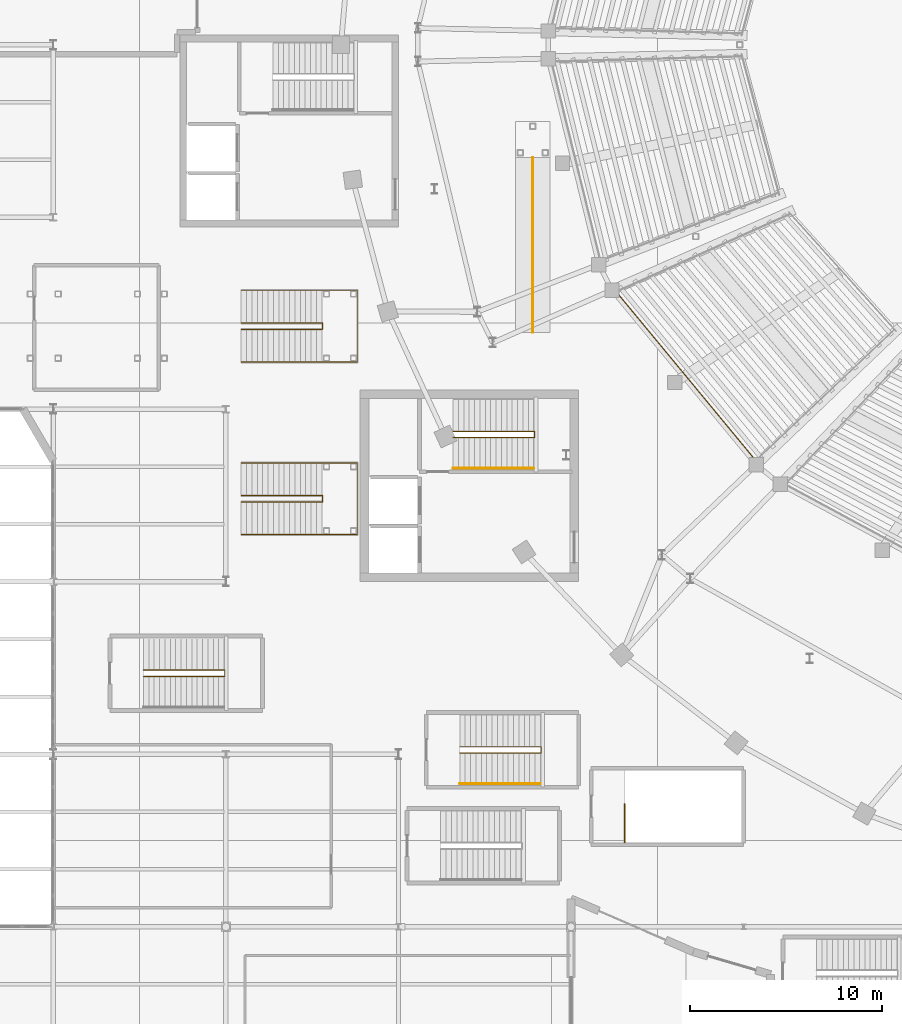
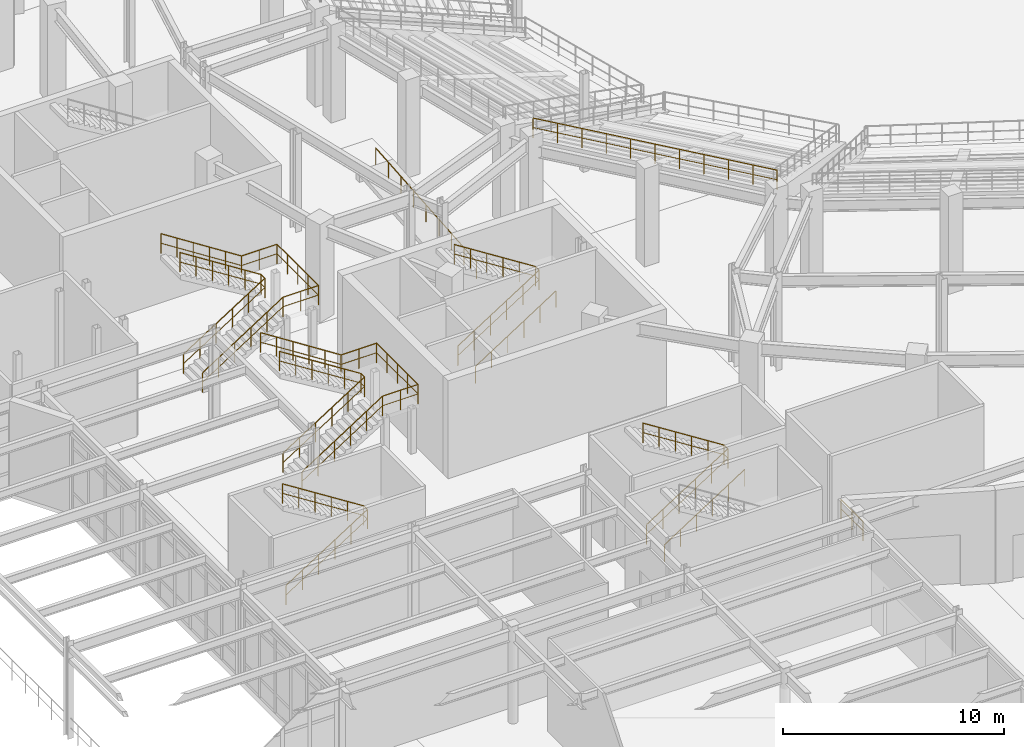
# One storey, part 71 of 79: 12 railings.
"""IFC4 building model written with IfcOpenShell, lengths in metres."""

from ifc_helpers import new_model, si_unit, direction, frame, origin, origin_2d, place, context, subcontext, project, spatial, circle, extrude, material, type_object, element, save


model = new_model("IFC4")

# Units and contexts
model_context = context("Model", 3, precision=1e-05, world=origin(), true_north=direction((0.0, 1.0)))
body_context = subcontext(model_context, "Body", "Model", "MODEL_VIEW")
ifc_project = project(units=[si_unit("LENGTHUNIT", "METRE"), si_unit("AREAUNIT", "SQUARE_METRE"), si_unit("VOLUMEUNIT", "CUBIC_METRE"), si_unit("PLANEANGLEUNIT", "RADIAN"), si_unit("MASSUNIT", "GRAM", prefix="KILO")], contexts=[model_context])

# Site, building, storey
site_placement = place(None, origin())
site = spatial("IfcSite", under=ifc_project, at=site_placement, CompositionType="ELEMENT")
building_placement = place(site_placement, origin())
building = spatial("IfcBuilding", under=site, at=building_placement, Name="Glasvene Arena", CompositionType="ELEMENT")
storey_placement = place(building_placement, origin())
storey = spatial("IfcBuildingStorey", under=building, at=storey_placement, Name="L00", CompositionType="ELEMENT", Elevation=0.0)

# Railings
ifc_material = material(Name="Brushed stainless steel", Category="steel")
railing_type_1 = type_object("IfcRailingType", Name="RL-GUARD-1100", PredefinedType="GUARDRAIL", material=ifc_material)
railing_1_placement = place(storey_placement, frame((47.85009765625, 52.510009765625, 0.0)))
element("IfcRailing", 1, at=railing_1_placement, inside=storey, type_object=railing_type_1, Name="Stair inner well continuous guardrail ST-03-L00", PredefinedType="GUARDRAIL", context=body_context, shape_type="SweptSolid", body=[
    extrude(circle(Radius=0.02392578125, at=origin_2d()), frame((0.0, 0.0, 1.076171875), z_axis=(0.843501457581, 0.0, 0.537126885437), x_axis=(0.0, 1.0, 0.0)), (0.0, 0.0, 1.0), 5.026611328125),
    extrude(circle(Radius=0.01611328125, at=origin_2d()), frame((0.0, 0.0, 0.550048828125), z_axis=(0.843501457581, 0.0, 0.537126885437), x_axis=(0.0, 1.0, 0.0)), (0.0, 0.0, 1.0), 5.026611328125),
    extrude(circle(Radius=0.02392578125, at=origin_2d()), frame((4.239990234375, 0.0, 3.77587890625), z_axis=(0.0, 1.0, 0.0), x_axis=(-1.0, 0.0, 0.0)), (0.0, 0.0, 1.0), 0.330078125),
    extrude(circle(Radius=0.01611328125, at=origin_2d()), frame((4.239990234375, 0.0, 3.25), z_axis=(0.0, 1.0, 0.0), x_axis=(-1.0, 0.0, 0.0)), (0.0, 0.0, 1.0), 0.330078125),
    extrude(circle(Radius=0.02392578125, at=origin_2d()), frame((4.239990234375, 0.330078125, 3.77587890625), z_axis=(-0.843501457581, 0.0, 0.537126885437), x_axis=(0.0, -1.0, 0.0)), (0.0, 0.0, 1.0), 5.026611328125),
    extrude(circle(Radius=0.01611328125, at=origin_2d()), frame((4.239990234375, 0.330078125, 3.25), z_axis=(-0.843501457581, 0.0, 0.537126885437), x_axis=(0.0, -1.0, 0.0)), (0.0, 0.0, 1.0), 5.026611328125),
    extrude(circle(Radius=0.02099609375, at=origin_2d()), origin(), (0.0, 0.0, 1.0), 1.052001953125),
    extrude(circle(Radius=0.02099609375, at=origin_2d()), frame((0.847900390625, 0.0, 0.5400390625)), (0.0, 0.0, 1.0), 1.052001953125),
    extrude(circle(Radius=0.02099609375, at=origin_2d()), frame((1.696044921875, 0.0, 1.080078125)), (0.0, 0.0, 1.0), 1.052001953125),
    extrude(circle(Radius=0.02099609375, at=origin_2d()), frame((2.5439453125, 0.0, 1.619873046875)), (0.0, 0.0, 1.0), 1.052001953125),
    extrude(circle(Radius=0.02099609375, at=origin_2d()), frame((3.39208984375, 0.0, 2.159912109375)), (0.0, 0.0, 1.0), 1.052001953125),
    extrude(circle(Radius=0.02099609375, at=origin_2d()), frame((4.239990234375, 0.0, 2.699951171875)), (0.0, 0.0, 1.0), 1.052001953125),
    extrude(circle(Radius=0.02099609375, at=origin_2d()), frame((4.239990234375, 0.330078125, 2.699951171875)), (0.0, 0.0, 1.0), 1.052001953125),
    extrude(circle(Radius=0.02099609375, at=origin_2d()), frame((3.39208984375, 0.330078125, 3.239990234375)), (0.0, 0.0, 1.0), 1.052001953125),
    extrude(circle(Radius=0.02099609375, at=origin_2d()), frame((2.5439453125, 0.330078125, 3.780029296875)), (0.0, 0.0, 1.0), 1.052001953125),
    extrude(circle(Radius=0.02099609375, at=origin_2d()), frame((1.696044921875, 0.330078125, 4.31982421875)), (0.0, 0.0, 1.0), 1.052001953125),
    extrude(circle(Radius=0.02099609375, at=origin_2d()), frame((0.847900390625, 0.330078125, 4.85986328125)), (0.0, 0.0, 1.0), 1.052001953125),
    extrude(circle(Radius=0.02099609375, at=origin_2d()), frame((0.0, 0.330078125, 5.39990234375)), (0.0, 0.0, 1.0), 1.052001953125),
])
railing_2_placement = place(storey_placement, frame((48.199951171875, 36.06005859375, 0.0)))
element("IfcRailing", 2, at=railing_2_placement, inside=storey, type_object=railing_type_1, Name="Stair inner well continuous guardrail ST-05-L00", PredefinedType="GUARDRAIL", context=body_context, shape_type="SweptSolid", body=[
    extrude(circle(Radius=0.02392578125, at=origin_2d()), frame((0.0, 0.0, 1.076171875), z_axis=(0.843501457581, 0.0, 0.537126885437), x_axis=(0.0, 1.0, 0.0)), (0.0, 0.0, 1.0), 5.026611328125),
    extrude(circle(Radius=0.01611328125, at=origin_2d()), frame((0.0, 0.0, 0.550048828125), z_axis=(0.843501457581, 0.0, 0.537126885437), x_axis=(0.0, 1.0, 0.0)), (0.0, 0.0, 1.0), 5.026611328125),
    extrude(circle(Radius=0.02392578125, at=origin_2d()), frame((4.239990234375, 0.0, 3.77587890625), z_axis=(0.0, 1.0, 0.0), x_axis=(-1.0, 0.0, 0.0)), (0.0, 0.0, 1.0), 0.329833984375),
    extrude(circle(Radius=0.01611328125, at=origin_2d()), frame((4.239990234375, 0.0, 3.25), z_axis=(0.0, 1.0, 0.0), x_axis=(-1.0, 0.0, 0.0)), (0.0, 0.0, 1.0), 0.329833984375),
    extrude(circle(Radius=0.02392578125, at=origin_2d()), frame((4.239990234375, 0.329833984375, 3.77587890625), z_axis=(-0.843501457581, 0.0, 0.537126885437), x_axis=(0.0, -1.0, 0.0)), (0.0, 0.0, 1.0), 5.026611328125),
    extrude(circle(Radius=0.01611328125, at=origin_2d()), frame((4.239990234375, 0.329833984375, 3.25), z_axis=(-0.843501457581, 0.0, 0.537126885437), x_axis=(0.0, -1.0, 0.0)), (0.0, 0.0, 1.0), 5.026611328125),
    extrude(circle(Radius=0.02099609375, at=origin_2d()), origin(), (0.0, 0.0, 1.0), 1.052001953125),
    extrude(circle(Radius=0.02099609375, at=origin_2d()), frame((0.847900390625, 0.0, 0.5400390625)), (0.0, 0.0, 1.0), 1.052001953125),
    extrude(circle(Radius=0.02099609375, at=origin_2d()), frame((1.696044921875, 0.0, 1.080078125)), (0.0, 0.0, 1.0), 1.052001953125),
    extrude(circle(Radius=0.02099609375, at=origin_2d()), frame((2.5439453125, 0.0, 1.619873046875)), (0.0, 0.0, 1.0), 1.052001953125),
    extrude(circle(Radius=0.02099609375, at=origin_2d()), frame((3.39208984375, 0.0, 2.159912109375)), (0.0, 0.0, 1.0), 1.052001953125),
    extrude(circle(Radius=0.02099609375, at=origin_2d()), frame((4.239990234375, 0.0, 2.699951171875)), (0.0, 0.0, 1.0), 1.052001953125),
    extrude(circle(Radius=0.02099609375, at=origin_2d()), frame((4.239990234375, 0.329833984375, 2.699951171875)), (0.0, 0.0, 1.0), 1.052001953125),
    extrude(circle(Radius=0.02099609375, at=origin_2d()), frame((3.39208984375, 0.329833984375, 3.239990234375)), (0.0, 0.0, 1.0), 1.052001953125),
    extrude(circle(Radius=0.02099609375, at=origin_2d()), frame((2.5439453125, 0.329833984375, 3.780029296875)), (0.0, 0.0, 1.0), 1.052001953125),
    extrude(circle(Radius=0.02099609375, at=origin_2d()), frame((1.696044921875, 0.329833984375, 4.31982421875)), (0.0, 0.0, 1.0), 1.052001953125),
    extrude(circle(Radius=0.02099609375, at=origin_2d()), frame((0.847900390625, 0.329833984375, 4.85986328125)), (0.0, 0.0, 1.0), 1.052001953125),
    extrude(circle(Radius=0.02099609375, at=origin_2d()), frame((0.0, 0.329833984375, 5.39990234375)), (0.0, 0.0, 1.0), 1.052001953125),
])
railing_3_placement = place(storey_placement, frame((31.699951171875, 40.06005859375, 0.0)))
element("IfcRailing", 3, at=railing_3_placement, inside=storey, type_object=railing_type_1, Name="Stair inner well continuous guardrail ST-15-L00", PredefinedType="GUARDRAIL", context=body_context, shape_type="SweptSolid", body=[
    extrude(circle(Radius=0.02392578125, at=origin_2d()), frame((0.0, 0.0, 1.076171875), z_axis=(0.843501457581, 0.0, 0.537126885437), x_axis=(0.0, 1.0, 0.0)), (0.0, 0.0, 1.0), 5.026611328125),
    extrude(circle(Radius=0.01611328125, at=origin_2d()), frame((0.0, 0.0, 0.550048828125), z_axis=(0.843501457581, 0.0, 0.537126885437), x_axis=(0.0, 1.0, 0.0)), (0.0, 0.0, 1.0), 5.026611328125),
    extrude(circle(Radius=0.02392578125, at=origin_2d()), frame((4.239990234375, 0.0, 3.77587890625), z_axis=(0.0, 1.0, 0.0), x_axis=(-1.0, 0.0, 0.0)), (0.0, 0.0, 1.0), 0.329833984375),
    extrude(circle(Radius=0.01611328125, at=origin_2d()), frame((4.239990234375, 0.0, 3.25), z_axis=(0.0, 1.0, 0.0), x_axis=(-1.0, 0.0, 0.0)), (0.0, 0.0, 1.0), 0.329833984375),
    extrude(circle(Radius=0.02392578125, at=origin_2d()), frame((4.239990234375, 0.329833984375, 3.77587890625), z_axis=(-0.843501457581, 0.0, 0.537126885437), x_axis=(0.0, -1.0, 0.0)), (0.0, 0.0, 1.0), 5.026611328125),
    extrude(circle(Radius=0.01611328125, at=origin_2d()), frame((4.239990234375, 0.329833984375, 3.25), z_axis=(-0.843501457581, 0.0, 0.537126885437), x_axis=(0.0, -1.0, 0.0)), (0.0, 0.0, 1.0), 5.026611328125),
    extrude(circle(Radius=0.02099609375, at=origin_2d()), origin(), (0.0, 0.0, 1.0), 1.052001953125),
    extrude(circle(Radius=0.02099609375, at=origin_2d()), frame((0.847900390625, 0.0, 0.5400390625)), (0.0, 0.0, 1.0), 1.052001953125),
    extrude(circle(Radius=0.02099609375, at=origin_2d()), frame((1.696044921875, 0.0, 1.080078125)), (0.0, 0.0, 1.0), 1.052001953125),
    extrude(circle(Radius=0.02099609375, at=origin_2d()), frame((2.5439453125, 0.0, 1.619873046875)), (0.0, 0.0, 1.0), 1.052001953125),
    extrude(circle(Radius=0.02099609375, at=origin_2d()), frame((3.39208984375, 0.0, 2.159912109375)), (0.0, 0.0, 1.0), 1.052001953125),
    extrude(circle(Radius=0.02099609375, at=origin_2d()), frame((4.239990234375, 0.0, 2.699951171875)), (0.0, 0.0, 1.0), 1.052001953125),
    extrude(circle(Radius=0.02099609375, at=origin_2d()), frame((4.239990234375, 0.329833984375, 2.699951171875)), (0.0, 0.0, 1.0), 1.052001953125),
    extrude(circle(Radius=0.02099609375, at=origin_2d()), frame((3.39208984375, 0.329833984375, 3.239990234375)), (0.0, 0.0, 1.0), 1.052001953125),
    extrude(circle(Radius=0.02099609375, at=origin_2d()), frame((2.5439453125, 0.329833984375, 3.780029296875)), (0.0, 0.0, 1.0), 1.052001953125),
    extrude(circle(Radius=0.02099609375, at=origin_2d()), frame((1.696044921875, 0.329833984375, 4.31982421875)), (0.0, 0.0, 1.0), 1.052001953125),
    extrude(circle(Radius=0.02099609375, at=origin_2d()), frame((0.847900390625, 0.329833984375, 4.85986328125)), (0.0, 0.0, 1.0), 1.052001953125),
    extrude(circle(Radius=0.02099609375, at=origin_2d()), frame((0.0, 0.329833984375, 5.39990234375)), (0.0, 0.0, 1.0), 1.052001953125),
])
railing_4_placement = place(storey_placement, frame((56.800048828125, 31.39990234375, 0.0)))
element("IfcRailing", 4, at=railing_4_placement, inside=storey, type_object=railing_type_1, Name="Stair top landing well guard ST-B06", PredefinedType="GUARDRAIL", context=body_context, shape_type="SweptSolid", body=[
    extrude(circle(Radius=0.02392578125, at=origin_2d()), frame((0.0, 0.0, 1.076171875), z_axis=(0.0, 1.0, 0.0), x_axis=(-1.0, 0.0, 0.0)), (0.0, 0.0, 1.0), 2.0),
    extrude(circle(Radius=0.01611328125, at=origin_2d()), frame((0.0, 0.0, 0.550048828125), z_axis=(0.0, 1.0, 0.0), x_axis=(-1.0, 0.0, 0.0)), (0.0, 0.0, 1.0), 2.0),
    extrude(circle(Radius=0.02099609375, at=origin_2d()), origin(), (0.0, 0.0, 1.0), 1.052001953125),
    extrude(circle(Radius=0.02099609375, at=origin_2d()), frame((0.0, 1.0, 0.0)), (0.0, 0.0, 1.0), 1.052001953125),
    extrude(circle(Radius=0.02099609375, at=origin_2d()), frame((0.0, 2.0, 0.0)), (0.0, 0.0, 1.0), 1.052001953125),
])
railing_5_placement = place(storey_placement, frame((36.800048828125, 47.449951171875, 0.0)))
element("IfcRailing", 5, at=railing_5_placement, inside=storey, type_object=railing_type_1, Name="Vomitory Stair outer guard VOM-01", PredefinedType="GUARDRAIL", context=body_context, shape_type="SweptSolid", body=[
    extrude(circle(Radius=0.02392578125, at=origin_2d()), frame((0.0, 0.0, 1.076171875), z_axis=(0.841180064094, 0.0, 0.540755119968), x_axis=(0.0, 1.0, 0.0)), (0.0, 0.0, 1.0), 4.992919921875),
    extrude(circle(Radius=0.01611328125, at=origin_2d()), frame((0.0, 0.0, 0.550048828125), z_axis=(0.841180064094, 0.0, 0.540755119968), x_axis=(0.0, 1.0, 0.0)), (0.0, 0.0, 1.0), 4.992919921875),
    extrude(circle(Radius=0.02392578125, at=origin_2d()), frame((4.199951171875, 0.0, 3.77587890625), z_axis=(1.0, 0.0, 0.0), x_axis=(0.0, 1.0, 0.0)), (0.0, 0.0, 1.0), 1.85009765625),
    extrude(circle(Radius=0.01611328125, at=origin_2d()), frame((4.199951171875, 0.0, 3.25), z_axis=(1.0, 0.0, 0.0), x_axis=(0.0, 1.0, 0.0)), (0.0, 0.0, 1.0), 1.85009765625),
    extrude(circle(Radius=0.02392578125, at=origin_2d()), frame((6.050048828125, 0.0, 3.77587890625), z_axis=(0.0, 1.0, 0.0), x_axis=(-1.0, 0.0, 0.0)), (0.0, 0.0, 1.0), 3.75),
    extrude(circle(Radius=0.01611328125, at=origin_2d()), frame((6.050048828125, 0.0, 3.25), z_axis=(0.0, 1.0, 0.0), x_axis=(-1.0, 0.0, 0.0)), (0.0, 0.0, 1.0), 3.75),
    extrude(circle(Radius=0.02392578125, at=origin_2d()), frame((6.050048828125, 3.75, 3.77587890625), z_axis=(-1.0, 0.0, 0.0), x_axis=(0.0, -1.0, 0.0)), (0.0, 0.0, 1.0), 1.85009765625),
    extrude(circle(Radius=0.01611328125, at=origin_2d()), frame((6.050048828125, 3.75, 3.25), z_axis=(-1.0, 0.0, 0.0), x_axis=(0.0, -1.0, 0.0)), (0.0, 0.0, 1.0), 1.85009765625),
    extrude(circle(Radius=0.02392578125, at=origin_2d()), frame((4.199951171875, 3.75, 3.77587890625), z_axis=(-0.841180064094, 0.0, 0.540755119968), x_axis=(0.0, -1.0, 0.0)), (0.0, 0.0, 1.0), 4.992919921875),
    extrude(circle(Radius=0.01611328125, at=origin_2d()), frame((4.199951171875, 3.75, 3.25), z_axis=(-0.841180064094, 0.0, 0.540755119968), x_axis=(0.0, -1.0, 0.0)), (0.0, 0.0, 1.0), 4.992919921875),
    extrude(circle(Radius=0.02099609375, at=origin_2d()), origin(), (0.0, 0.0, 1.0), 1.052001953125),
    extrude(circle(Radius=0.02099609375, at=origin_2d()), frame((0.840087890625, 0.0, 0.5400390625)), (0.0, 0.0, 1.0), 1.052001953125),
    extrude(circle(Radius=0.02099609375, at=origin_2d()), frame((1.679931640625, 0.0, 1.080078125)), (0.0, 0.0, 1.0), 1.052001953125),
    extrude(circle(Radius=0.02099609375, at=origin_2d()), frame((2.52001953125, 0.0, 1.619873046875)), (0.0, 0.0, 1.0), 1.052001953125),
    extrude(circle(Radius=0.02099609375, at=origin_2d()), frame((3.35986328125, 0.0, 2.159912109375)), (0.0, 0.0, 1.0), 1.052001953125),
    extrude(circle(Radius=0.02099609375, at=origin_2d()), frame((4.199951171875, 0.0, 2.699951171875)), (0.0, 0.0, 1.0), 1.052001953125),
    extrude(circle(Radius=0.02099609375, at=origin_2d()), frame((5.125, 0.0, 2.699951171875)), (0.0, 0.0, 1.0), 1.052001953125),
    extrude(circle(Radius=0.02099609375, at=origin_2d()), frame((6.050048828125, 0.0, 2.699951171875)), (0.0, 0.0, 1.0), 1.052001953125),
    extrude(circle(Radius=0.02099609375, at=origin_2d()), frame((6.050048828125, 0.9375, 2.699951171875)), (0.0, 0.0, 1.0), 1.052001953125),
    extrude(circle(Radius=0.02099609375, at=origin_2d()), frame((6.050048828125, 1.875, 2.699951171875)), (0.0, 0.0, 1.0), 1.052001953125),
    extrude(circle(Radius=0.02099609375, at=origin_2d()), frame((6.050048828125, 2.8125, 2.699951171875)), (0.0, 0.0, 1.0), 1.052001953125),
    extrude(circle(Radius=0.02099609375, at=origin_2d()), frame((6.050048828125, 3.75, 2.699951171875)), (0.0, 0.0, 1.0), 1.052001953125),
    extrude(circle(Radius=0.02099609375, at=origin_2d()), frame((5.125, 3.75, 2.699951171875)), (0.0, 0.0, 1.0), 1.052001953125),
    extrude(circle(Radius=0.02099609375, at=origin_2d()), frame((4.199951171875, 3.75, 2.699951171875)), (0.0, 0.0, 1.0), 1.052001953125),
    extrude(circle(Radius=0.02099609375, at=origin_2d()), frame((3.35986328125, 3.75, 3.239990234375)), (0.0, 0.0, 1.0), 1.052001953125),
    extrude(circle(Radius=0.02099609375, at=origin_2d()), frame((2.52001953125, 3.75, 3.780029296875)), (0.0, 0.0, 1.0), 1.052001953125),
    extrude(circle(Radius=0.02099609375, at=origin_2d()), frame((1.679931640625, 3.75, 4.31982421875)), (0.0, 0.0, 1.0), 1.052001953125),
    extrude(circle(Radius=0.02099609375, at=origin_2d()), frame((0.840087890625, 3.75, 4.85986328125)), (0.0, 0.0, 1.0), 1.052001953125),
    extrude(circle(Radius=0.02099609375, at=origin_2d()), frame((0.0, 3.75, 5.39990234375)), (0.0, 0.0, 1.0), 1.052001953125),
])
railing_6_placement = place(storey_placement, frame((36.800048828125, 49.159912109375, 0.0)))
element("IfcRailing", 6, at=railing_6_placement, inside=storey, type_object=railing_type_1, Name="Vomitory Stair inner well guard VOM-01", PredefinedType="GUARDRAIL", context=body_context, shape_type="SweptSolid", body=[
    extrude(circle(Radius=0.02392578125, at=origin_2d()), frame((0.0, 0.0, 1.076171875), z_axis=(0.843501457581, 0.0, 0.537126885437), x_axis=(0.0, 1.0, 0.0)), (0.0, 0.0, 1.0), 5.026611328125),
    extrude(circle(Radius=0.01611328125, at=origin_2d()), frame((0.0, 0.0, 0.550048828125), z_axis=(0.843501457581, 0.0, 0.537126885437), x_axis=(0.0, 1.0, 0.0)), (0.0, 0.0, 1.0), 5.026611328125),
    extrude(circle(Radius=0.02392578125, at=origin_2d()), frame((4.239990234375, 0.0, 3.77587890625), z_axis=(0.0, 1.0, 0.0), x_axis=(-1.0, 0.0, 0.0)), (0.0, 0.0, 1.0), 0.330078125),
    extrude(circle(Radius=0.01611328125, at=origin_2d()), frame((4.239990234375, 0.0, 3.25), z_axis=(0.0, 1.0, 0.0), x_axis=(-1.0, 0.0, 0.0)), (0.0, 0.0, 1.0), 0.330078125),
    extrude(circle(Radius=0.02392578125, at=origin_2d()), frame((4.239990234375, 0.330078125, 3.77587890625), z_axis=(-0.843501457581, 0.0, 0.537126885437), x_axis=(0.0, -1.0, 0.0)), (0.0, 0.0, 1.0), 5.026611328125),
    extrude(circle(Radius=0.01611328125, at=origin_2d()), frame((4.239990234375, 0.330078125, 3.25), z_axis=(-0.843501457581, 0.0, 0.537126885437), x_axis=(0.0, -1.0, 0.0)), (0.0, 0.0, 1.0), 5.026611328125),
    extrude(circle(Radius=0.02099609375, at=origin_2d()), origin(), (0.0, 0.0, 1.0), 1.052001953125),
    extrude(circle(Radius=0.02099609375, at=origin_2d()), frame((0.847900390625, 0.0, 0.5400390625)), (0.0, 0.0, 1.0), 1.052001953125),
    extrude(circle(Radius=0.02099609375, at=origin_2d()), frame((1.696044921875, 0.0, 1.080078125)), (0.0, 0.0, 1.0), 1.052001953125),
    extrude(circle(Radius=0.02099609375, at=origin_2d()), frame((2.5439453125, 0.0, 1.619873046875)), (0.0, 0.0, 1.0), 1.052001953125),
    extrude(circle(Radius=0.02099609375, at=origin_2d()), frame((3.39208984375, 0.0, 2.159912109375)), (0.0, 0.0, 1.0), 1.052001953125),
    extrude(circle(Radius=0.02099609375, at=origin_2d()), frame((4.239990234375, 0.0, 2.699951171875)), (0.0, 0.0, 1.0), 1.052001953125),
    extrude(circle(Radius=0.02099609375, at=origin_2d()), frame((4.239990234375, 0.330078125, 2.699951171875)), (0.0, 0.0, 1.0), 1.052001953125),
    extrude(circle(Radius=0.02099609375, at=origin_2d()), frame((3.39208984375, 0.330078125, 3.239990234375)), (0.0, 0.0, 1.0), 1.052001953125),
    extrude(circle(Radius=0.02099609375, at=origin_2d()), frame((2.5439453125, 0.330078125, 3.780029296875)), (0.0, 0.0, 1.0), 1.052001953125),
    extrude(circle(Radius=0.02099609375, at=origin_2d()), frame((1.696044921875, 0.330078125, 4.31982421875)), (0.0, 0.0, 1.0), 1.052001953125),
    extrude(circle(Radius=0.02099609375, at=origin_2d()), frame((0.847900390625, 0.330078125, 4.85986328125)), (0.0, 0.0, 1.0), 1.052001953125),
    extrude(circle(Radius=0.02099609375, at=origin_2d()), frame((0.0, 0.330078125, 5.39990234375)), (0.0, 0.0, 1.0), 1.052001953125),
])
railing_7_placement = place(storey_placement, frame((36.800048828125, 56.449951171875, 0.0)))
element("IfcRailing", 7, at=railing_7_placement, inside=storey, type_object=railing_type_1, Name="Vomitory Stair outer guard VOM-03", PredefinedType="GUARDRAIL", context=body_context, shape_type="SweptSolid", body=[
    extrude(circle(Radius=0.02392578125, at=origin_2d()), frame((0.0, 0.0, 1.076171875), z_axis=(0.841180064094, 0.0, 0.540755119968), x_axis=(0.0, 1.0, 0.0)), (0.0, 0.0, 1.0), 4.992919921875),
    extrude(circle(Radius=0.01611328125, at=origin_2d()), frame((0.0, 0.0, 0.550048828125), z_axis=(0.841180064094, 0.0, 0.540755119968), x_axis=(0.0, 1.0, 0.0)), (0.0, 0.0, 1.0), 4.992919921875),
    extrude(circle(Radius=0.02392578125, at=origin_2d()), frame((4.199951171875, 0.0, 3.77587890625), z_axis=(1.0, 0.0, 0.0), x_axis=(0.0, 1.0, 0.0)), (0.0, 0.0, 1.0), 1.85009765625),
    extrude(circle(Radius=0.01611328125, at=origin_2d()), frame((4.199951171875, 0.0, 3.25), z_axis=(1.0, 0.0, 0.0), x_axis=(0.0, 1.0, 0.0)), (0.0, 0.0, 1.0), 1.85009765625),
    extrude(circle(Radius=0.02392578125, at=origin_2d()), frame((6.050048828125, 0.0, 3.77587890625), z_axis=(0.0, 1.0, 0.0), x_axis=(-1.0, 0.0, 0.0)), (0.0, 0.0, 1.0), 3.75),
    extrude(circle(Radius=0.01611328125, at=origin_2d()), frame((6.050048828125, 0.0, 3.25), z_axis=(0.0, 1.0, 0.0), x_axis=(-1.0, 0.0, 0.0)), (0.0, 0.0, 1.0), 3.75),
    extrude(circle(Radius=0.02392578125, at=origin_2d()), frame((6.050048828125, 3.75, 3.77587890625), z_axis=(-1.0, 0.0, 0.0), x_axis=(0.0, -1.0, 0.0)), (0.0, 0.0, 1.0), 1.85009765625),
    extrude(circle(Radius=0.01611328125, at=origin_2d()), frame((6.050048828125, 3.75, 3.25), z_axis=(-1.0, 0.0, 0.0), x_axis=(0.0, -1.0, 0.0)), (0.0, 0.0, 1.0), 1.85009765625),
    extrude(circle(Radius=0.02392578125, at=origin_2d()), frame((4.199951171875, 3.75, 3.77587890625), z_axis=(-0.841180064094, 0.0, 0.540755119968), x_axis=(0.0, -1.0, 0.0)), (0.0, 0.0, 1.0), 4.992919921875),
    extrude(circle(Radius=0.01611328125, at=origin_2d()), frame((4.199951171875, 3.75, 3.25), z_axis=(-0.841180064094, 0.0, 0.540755119968), x_axis=(0.0, -1.0, 0.0)), (0.0, 0.0, 1.0), 4.992919921875),
    extrude(circle(Radius=0.02099609375, at=origin_2d()), origin(), (0.0, 0.0, 1.0), 1.052001953125),
    extrude(circle(Radius=0.02099609375, at=origin_2d()), frame((0.840087890625, 0.0, 0.5400390625)), (0.0, 0.0, 1.0), 1.052001953125),
    extrude(circle(Radius=0.02099609375, at=origin_2d()), frame((1.679931640625, 0.0, 1.080078125)), (0.0, 0.0, 1.0), 1.052001953125),
    extrude(circle(Radius=0.02099609375, at=origin_2d()), frame((2.52001953125, 0.0, 1.619873046875)), (0.0, 0.0, 1.0), 1.052001953125),
    extrude(circle(Radius=0.02099609375, at=origin_2d()), frame((3.35986328125, 0.0, 2.159912109375)), (0.0, 0.0, 1.0), 1.052001953125),
    extrude(circle(Radius=0.02099609375, at=origin_2d()), frame((4.199951171875, 0.0, 2.699951171875)), (0.0, 0.0, 1.0), 1.052001953125),
    extrude(circle(Radius=0.02099609375, at=origin_2d()), frame((5.125, 0.0, 2.699951171875)), (0.0, 0.0, 1.0), 1.052001953125),
    extrude(circle(Radius=0.02099609375, at=origin_2d()), frame((6.050048828125, 0.0, 2.699951171875)), (0.0, 0.0, 1.0), 1.052001953125),
    extrude(circle(Radius=0.02099609375, at=origin_2d()), frame((6.050048828125, 0.9375, 2.699951171875)), (0.0, 0.0, 1.0), 1.052001953125),
    extrude(circle(Radius=0.02099609375, at=origin_2d()), frame((6.050048828125, 1.875, 2.699951171875)), (0.0, 0.0, 1.0), 1.052001953125),
    extrude(circle(Radius=0.02099609375, at=origin_2d()), frame((6.050048828125, 2.8125, 2.699951171875)), (0.0, 0.0, 1.0), 1.052001953125),
    extrude(circle(Radius=0.02099609375, at=origin_2d()), frame((6.050048828125, 3.75, 2.699951171875)), (0.0, 0.0, 1.0), 1.052001953125),
    extrude(circle(Radius=0.02099609375, at=origin_2d()), frame((5.125, 3.75, 2.699951171875)), (0.0, 0.0, 1.0), 1.052001953125),
    extrude(circle(Radius=0.02099609375, at=origin_2d()), frame((4.199951171875, 3.75, 2.699951171875)), (0.0, 0.0, 1.0), 1.052001953125),
    extrude(circle(Radius=0.02099609375, at=origin_2d()), frame((3.35986328125, 3.75, 3.239990234375)), (0.0, 0.0, 1.0), 1.052001953125),
    extrude(circle(Radius=0.02099609375, at=origin_2d()), frame((2.52001953125, 3.75, 3.780029296875)), (0.0, 0.0, 1.0), 1.052001953125),
    extrude(circle(Radius=0.02099609375, at=origin_2d()), frame((1.679931640625, 3.75, 4.31982421875)), (0.0, 0.0, 1.0), 1.052001953125),
    extrude(circle(Radius=0.02099609375, at=origin_2d()), frame((0.840087890625, 3.75, 4.85986328125)), (0.0, 0.0, 1.0), 1.052001953125),
    extrude(circle(Radius=0.02099609375, at=origin_2d()), frame((0.0, 3.75, 5.39990234375)), (0.0, 0.0, 1.0), 1.052001953125),
])
railing_8_placement = place(storey_placement, frame((36.800048828125, 58.159912109375, 0.0)))
element("IfcRailing", 8, at=railing_8_placement, inside=storey, type_object=railing_type_1, Name="Vomitory Stair inner well guard VOM-03", PredefinedType="GUARDRAIL", context=body_context, shape_type="SweptSolid", body=[
    extrude(circle(Radius=0.02392578125, at=origin_2d()), frame((0.0, 0.0, 1.076171875), z_axis=(0.843501457581, 0.0, 0.537126885437), x_axis=(0.0, 1.0, 0.0)), (0.0, 0.0, 1.0), 5.026611328125),
    extrude(circle(Radius=0.01611328125, at=origin_2d()), frame((0.0, 0.0, 0.550048828125), z_axis=(0.843501457581, 0.0, 0.537126885437), x_axis=(0.0, 1.0, 0.0)), (0.0, 0.0, 1.0), 5.026611328125),
    extrude(circle(Radius=0.02392578125, at=origin_2d()), frame((4.239990234375, 0.0, 3.77587890625), z_axis=(0.0, 1.0, 0.0), x_axis=(-1.0, 0.0, 0.0)), (0.0, 0.0, 1.0), 0.330078125),
    extrude(circle(Radius=0.01611328125, at=origin_2d()), frame((4.239990234375, 0.0, 3.25), z_axis=(0.0, 1.0, 0.0), x_axis=(-1.0, 0.0, 0.0)), (0.0, 0.0, 1.0), 0.330078125),
    extrude(circle(Radius=0.02392578125, at=origin_2d()), frame((4.239990234375, 0.330078125, 3.77587890625), z_axis=(-0.843501457581, 0.0, 0.537126885437), x_axis=(0.0, -1.0, 0.0)), (0.0, 0.0, 1.0), 5.026611328125),
    extrude(circle(Radius=0.01611328125, at=origin_2d()), frame((4.239990234375, 0.330078125, 3.25), z_axis=(-0.843501457581, 0.0, 0.537126885437), x_axis=(0.0, -1.0, 0.0)), (0.0, 0.0, 1.0), 5.026611328125),
    extrude(circle(Radius=0.02099609375, at=origin_2d()), origin(), (0.0, 0.0, 1.0), 1.052001953125),
    extrude(circle(Radius=0.02099609375, at=origin_2d()), frame((0.847900390625, 0.0, 0.5400390625)), (0.0, 0.0, 1.0), 1.052001953125),
    extrude(circle(Radius=0.02099609375, at=origin_2d()), frame((1.696044921875, 0.0, 1.080078125)), (0.0, 0.0, 1.0), 1.052001953125),
    extrude(circle(Radius=0.02099609375, at=origin_2d()), frame((2.5439453125, 0.0, 1.619873046875)), (0.0, 0.0, 1.0), 1.052001953125),
    extrude(circle(Radius=0.02099609375, at=origin_2d()), frame((3.39208984375, 0.0, 2.159912109375)), (0.0, 0.0, 1.0), 1.052001953125),
    extrude(circle(Radius=0.02099609375, at=origin_2d()), frame((4.239990234375, 0.0, 2.699951171875)), (0.0, 0.0, 1.0), 1.052001953125),
    extrude(circle(Radius=0.02099609375, at=origin_2d()), frame((4.239990234375, 0.330078125, 2.699951171875)), (0.0, 0.0, 1.0), 1.052001953125),
    extrude(circle(Radius=0.02099609375, at=origin_2d()), frame((3.39208984375, 0.330078125, 3.239990234375)), (0.0, 0.0, 1.0), 1.052001953125),
    extrude(circle(Radius=0.02099609375, at=origin_2d()), frame((2.5439453125, 0.330078125, 3.780029296875)), (0.0, 0.0, 1.0), 1.052001953125),
    extrude(circle(Radius=0.02099609375, at=origin_2d()), frame((1.696044921875, 0.330078125, 4.31982421875)), (0.0, 0.0, 1.0), 1.052001953125),
    extrude(circle(Radius=0.02099609375, at=origin_2d()), frame((0.847900390625, 0.330078125, 4.85986328125)), (0.0, 0.0, 1.0), 1.052001953125),
    extrude(circle(Radius=0.02099609375, at=origin_2d()), frame((0.0, 0.330078125, 5.39990234375)), (0.0, 0.0, 1.0), 1.052001953125),
])
railing_9_placement = place(storey_placement, frame((56.243408203125, 60.256103515625, 4.93994140625)))
element("IfcRailing", 9, at=railing_9_placement, inside=storey, type_object=railing_type_1, Name="Safety guardrail GD-TL-LR-10-001", PredefinedType="GUARDRAIL", context=body_context, shape_type="SweptSolid", body=[
    extrude(circle(Radius=0.02392578125, at=origin_2d()), frame((0.0, 0.0, 1.076171875), z_axis=(0.637226468671, -0.770676603787, 0.0), x_axis=(0.770676603787, 0.637226468671, 0.0)), (0.0, 0.0, 1.0), 11.7744140625),
    extrude(circle(Radius=0.01611328125, at=origin_2d()), frame((0.0, 0.0, 0.550048828125), z_axis=(0.637226468671, -0.770676603787, 0.0), x_axis=(0.770676603787, 0.637226468671, 0.0)), (0.0, 0.0, 1.0), 11.7744140625),
    extrude(circle(Radius=0.02099609375, at=origin_2d()), origin(), (0.0, 0.0, 1.0), 1.052001953125),
    extrude(circle(Radius=0.02099609375, at=origin_2d()), frame((0.750244140625, -0.907470703125, 0.0)), (0.0, 0.0, 1.0), 1.052001953125),
    extrude(circle(Radius=0.02099609375, at=origin_2d()), frame((1.50048828125, -1.81494140625, 0.0)), (0.0, 0.0, 1.0), 1.052001953125),
    extrude(circle(Radius=0.02099609375, at=origin_2d()), frame((2.2509765625, -2.72216796875, 0.0)), (0.0, 0.0, 1.0), 1.052001953125),
    extrude(circle(Radius=0.02099609375, at=origin_2d()), frame((3.001220703125, -3.629638671875, 0.0)), (0.0, 0.0, 1.0), 1.052001953125),
    extrude(circle(Radius=0.02099609375, at=origin_2d()), frame((3.75146484375, -4.537109375, 0.0)), (0.0, 0.0, 1.0), 1.052001953125),
    extrude(circle(Radius=0.02099609375, at=origin_2d()), frame((4.501708984375, -5.444580078125, 0.0)), (0.0, 0.0, 1.0), 1.052001953125),
    extrude(circle(Radius=0.02099609375, at=origin_2d()), frame((5.251953125, -6.35205078125, 0.0)), (0.0, 0.0, 1.0), 1.052001953125),
    extrude(circle(Radius=0.02099609375, at=origin_2d()), frame((6.00244140625, -7.25927734375, 0.0)), (0.0, 0.0, 1.0), 1.052001953125),
    extrude(circle(Radius=0.02099609375, at=origin_2d()), frame((6.752685546875, -8.166748046875, 0.0)), (0.0, 0.0, 1.0), 1.052001953125),
    extrude(circle(Radius=0.02099609375, at=origin_2d()), frame((7.5029296875, -9.07421875, 0.0)), (0.0, 0.0, 1.0), 1.052001953125),
])
railing_type_2 = type_object("IfcRailingType", Name="RL-HAND-950", PredefinedType="HANDRAIL", material=ifc_material)
for number, where, name in (
    (10, (47.85009765625, 50.909912109375, 0.0), "Stair wall handrail ST-03-L00"),
    (11, (48.199951171875, 34.4599609375, 0.0), "Stair wall handrail ST-05-L00"),
):
    element("IfcRailing", number, at=place(storey_placement, frame(where)), inside=storey, type_object=railing_type_2, Name=name, PredefinedType="HANDRAIL", context=body_context, shape_type="SweptSolid", body=[
        extrude(circle(Radius=0.02392578125, at=origin_2d()), frame((0.0, 0.0, 0.92578125), z_axis=(0.841180064094, 0.0, 0.540755119968), x_axis=(0.0, 1.0, 0.0)), (0.0, 0.0, 1.0), 4.992919921875),
        extrude(circle(Radius=0.02099609375, at=origin_2d()), origin(), (0.0, 0.0, 1.0), 0.90185546875),
        extrude(circle(Radius=0.02099609375, at=origin_2d()), frame((0.840087890625, 0.0, 0.5400390625)), (0.0, 0.0, 1.0), 0.90185546875),
        extrude(circle(Radius=0.02099609375, at=origin_2d()), frame((1.679931640625, 0.0, 1.080078125)), (0.0, 0.0, 1.0), 0.90185546875),
        extrude(circle(Radius=0.02099609375, at=origin_2d()), frame((2.52001953125, 0.0, 1.619873046875)), (0.0, 0.0, 1.0), 0.90185546875),
        extrude(circle(Radius=0.02099609375, at=origin_2d()), frame((3.35986328125, 0.0, 2.159912109375)), (0.0, 0.0, 1.0), 0.90185546875),
        extrude(circle(Radius=0.02099609375, at=origin_2d()), frame((4.199951171875, 0.0, 2.699951171875)), (0.0, 0.0, 1.0), 0.90185546875),
    ])
railing_10_placement = place(storey_placement, frame((52.0, 58.0, 0.0)))
element("IfcRailing", 12, at=railing_10_placement, inside=storey, type_object=railing_type_2, Name="Accessible ramp handrail RP-P1", PredefinedType="HANDRAIL", context=body_context, shape_type="SweptSolid", body=[
    extrude(circle(Radius=0.02392578125, at=origin_2d()), frame((0.0, 0.0, 0.92578125), z_axis=(0.0, 0.996545758245, 0.083045479854), x_axis=(-1.0, 0.0, 0.0)), (0.0, 0.0, 1.0), 9.151611328125),
    extrude(circle(Radius=0.02099609375, at=origin_2d()), origin(), (0.0, 0.0, 1.0), 0.90185546875),
    extrude(circle(Radius=0.02099609375, at=origin_2d()), frame((0.0, 1.14013671875, 0.094970703125)), (0.0, 0.0, 1.0), 0.90185546875),
    extrude(circle(Radius=0.02099609375, at=origin_2d()), frame((0.0, 2.280029296875, 0.18994140625)), (0.0, 0.0, 1.0), 0.90185546875),
    extrude(circle(Radius=0.02099609375, at=origin_2d()), frame((0.0, 3.419921875, 0.284912109375)), (0.0, 0.0, 1.0), 0.90185546875),
    extrude(circle(Radius=0.02099609375, at=origin_2d()), frame((0.0, 4.56005859375, 0.3798828125)), (0.0, 0.0, 1.0), 0.90185546875),
    extrude(circle(Radius=0.02099609375, at=origin_2d()), frame((0.0, 5.7001953125, 0.47509765625)), (0.0, 0.0, 1.0), 0.90185546875),
    extrude(circle(Radius=0.02099609375, at=origin_2d()), frame((0.0, 6.840087890625, 0.570068359375)), (0.0, 0.0, 1.0), 0.90185546875),
    extrude(circle(Radius=0.02099609375, at=origin_2d()), frame((0.0, 7.97998046875, 0.6650390625)), (0.0, 0.0, 1.0), 0.90185546875),
    extrude(circle(Radius=0.02099609375, at=origin_2d()), frame((0.0, 9.1201171875, 0.760009765625)), (0.0, 0.0, 1.0), 0.90185546875),
])

save(model, "model.ifc")
